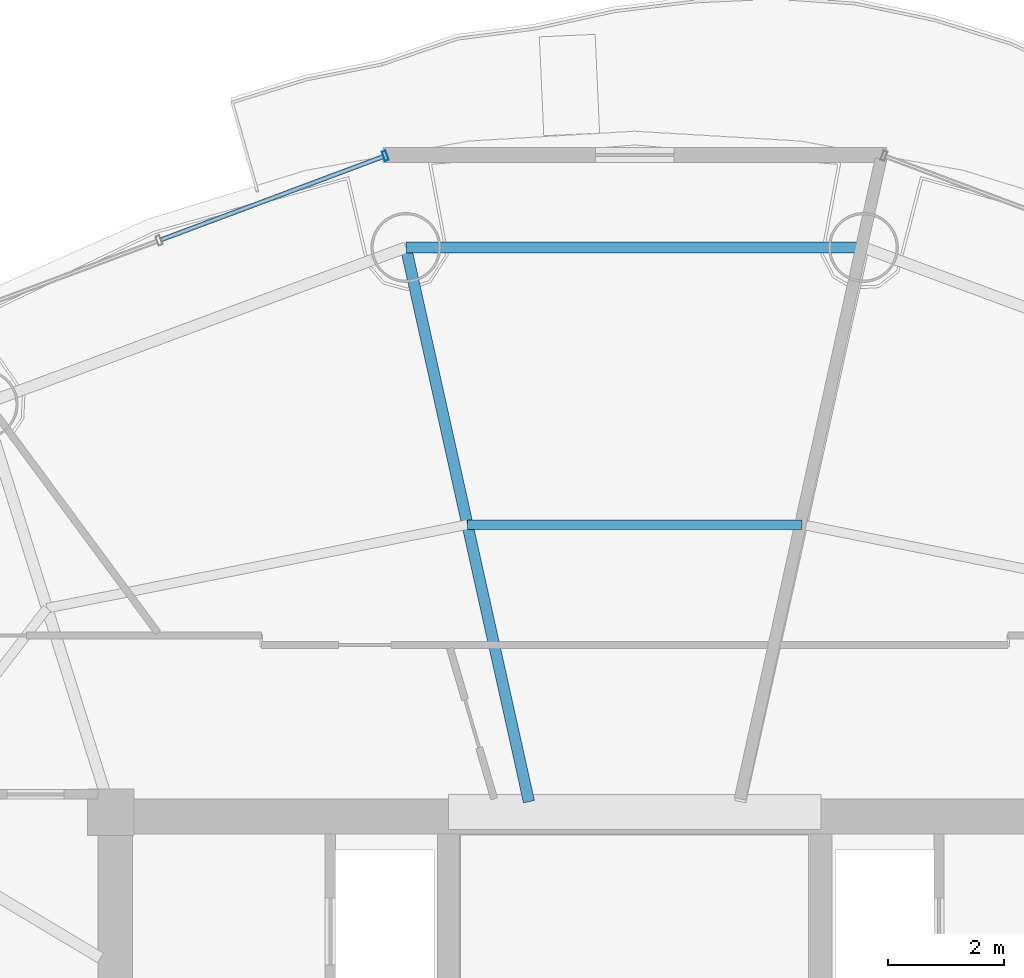
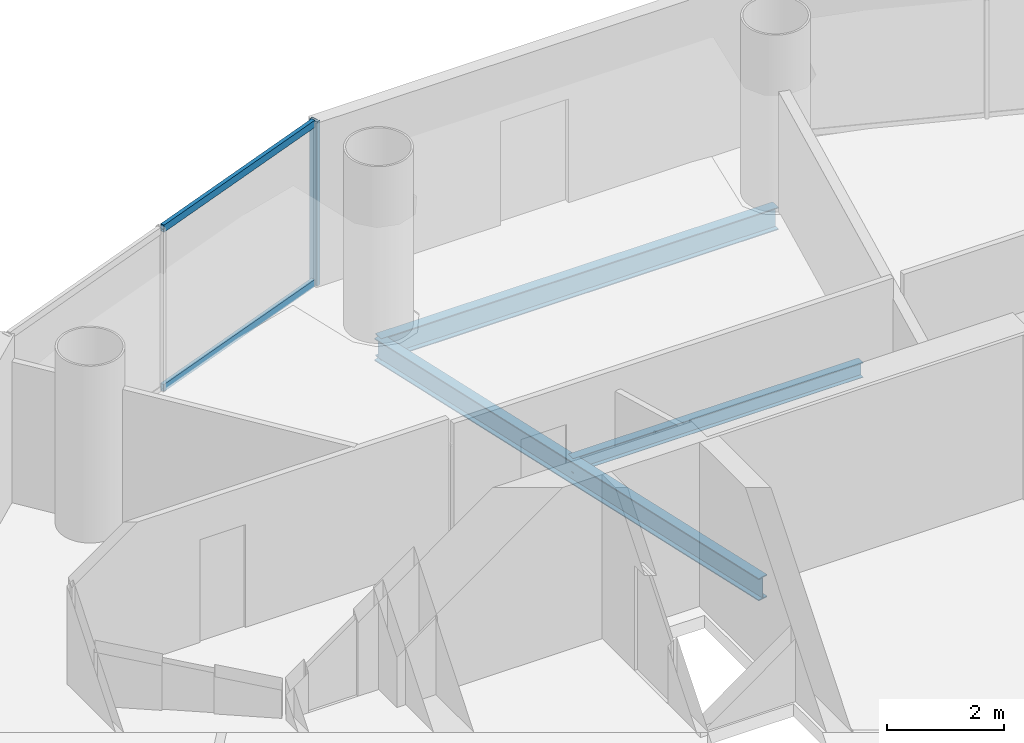
# One storey, part 16 of 26: 3 beams, 3 members, 1 element without a shape of its own.
"""IFC4 building model written with IfcOpenShell, lengths in metres."""

from ifc_helpers import new_model, si_unit, direction, frame, origin, origin_2d, place, context, subcontext, project, spatial, hollow_rectangle, i_section, extrude, source, transform, mapped, material, material_profile, profile_set, type_object, element, aggregate, save


model = new_model("IFC4")

# Units and contexts
model_context = context("Model", 3, precision=1e-05, world=origin(), true_north=direction((-0.2419218956, 0.970295726276)))
body_context = subcontext(model_context, "Body", "Model", "MODEL_VIEW")
ifc_project = project(units=[si_unit("LENGTHUNIT", "METRE"), si_unit("AREAUNIT", "SQUARE_METRE"), si_unit("VOLUMEUNIT", "CUBIC_METRE"), si_unit("PLANEANGLEUNIT", "RADIAN"), si_unit("MASSUNIT", "GRAM", prefix="KILO")], contexts=[model_context])

# Site, building, storey
site_placement = place(None, origin())
site = spatial("IfcSite", under=ifc_project, at=site_placement, CompositionType="ELEMENT")
building_placement = place(site_placement, origin())
building = spatial("IfcBuilding", under=site, at=building_placement, Name="Cobrevalo Terracotta Tower", CompositionType="ELEMENT")
storey_placement = place(building_placement, frame((0.0, 0.0, 224.5)))
storey = spatial("IfcBuildingStorey", under=building, at=storey_placement, Name="L59", CompositionType="ELEMENT", Elevation=224.5)

# Beams
ifc_material_1 = material(Name="Steel S355", Category="steel")
ifc_material_profile_1 = material_profile(ifc_material_1, i_section(OverallWidth=0.194091796875, OverallDepth=0.468994140625, WebThickness=0.011474609375, FlangeThickness=0.0205078125, at=origin_2d()), Name="W 460x106")
ifc_profile_set_1 = profile_set([ifc_material_profile_1], Name="Steel S355")
beam_type_1 = type_object("IfcBeamType", Name="Structural Beam W 460x106 (Steel S355)", PredefinedType="BEAM", material=ifc_profile_set_1)
beam_1_placement = place(storey_placement, frame((34.06884765625, 44.503173828125, -0.49951171875), z_axis=(0.216782061165, -0.976220025382, 0.0), x_axis=(0.976220025382, 0.216782061165, 0.0)))
element("IfcBeam", 1, at=beam_1_placement, inside=storey, type_object=beam_type_1, Name="L59 radial floor girder 05", PredefinedType="BEAM", context=body_context, shape_type="SweptSolid", body=[
    extrude(i_section(OverallWidth=0.194091796875, OverallDepth=0.468994140625, WebThickness=0.011474609375, FlangeThickness=0.0205078125, at=origin_2d()), origin(), (0.0, 0.0, 1.0), 9.755126953125),
])
ifc_material_profile_2 = material_profile(ifc_material_1, i_section(OverallWidth=0.1650390625, OverallDepth=0.31005859375, WebThickness=0.005859375, FlangeThickness=0.009765625, at=origin_2d()), Name="W 310x38.7")
ifc_profile_set_2 = profile_set([ifc_material_profile_2], Name="Steel S355")
beam_type_2 = type_object("IfcBeamType", Name="Structural Joist W 310x38.7 (Steel S355)", PredefinedType="JOIST", material=ifc_profile_set_2)
beam_2_placement = place(storey_placement, frame((40.873779296875, 39.74169921875, -0.419921875), z_axis=(-1.0, 0.0, 0.0), x_axis=(0.0, -1.0, 0.0)))
element("IfcBeam", 2, at=beam_2_placement, inside=storey, type_object=beam_type_2, Name="L59 circumferential secondary floor joist 04", PredefinedType="JOIST", context=body_context, shape_type="SweptSolid", body=[
    extrude(i_section(OverallWidth=0.1650390625, OverallDepth=0.31005859375, WebThickness=0.005859375, FlangeThickness=0.009765625, at=origin_2d()), origin(), (0.0, 0.0, 1.0), 5.74755859375),
])
ifc_material_profile_3 = material_profile(ifc_material_1, i_section(OverallWidth=0.194091796875, OverallDepth=0.468994140625, WebThickness=0.011474609375, FlangeThickness=0.0205078125, at=origin_2d()), Name="W 460x106")
ifc_profile_set_3 = profile_set([ifc_material_profile_3], Name="Steel S355")
beam_type_3 = type_object("IfcBeamType", Name="Structural Spandrel W 460x106 (Steel S355)", PredefinedType="SPANDREL", material=ifc_profile_set_3)
beam_3_placement = place(storey_placement, frame((41.93115234375, 44.503173828125, -0.49951171875), z_axis=(-1.0, 0.0, 0.0), x_axis=(0.0, -1.0, 0.0)))
element("IfcBeam", 3, at=beam_3_placement, inside=storey, type_object=beam_type_3, Name="L59 perimeter ring spandrel 04", PredefinedType="SPANDREL", context=body_context, shape_type="SweptSolid", body=[
    extrude(i_section(OverallWidth=0.194091796875, OverallDepth=0.468994140625, WebThickness=0.011474609375, FlangeThickness=0.0205078125, at=origin_2d()), origin(), (0.0, 0.0, 1.0), 7.8623046875),
])

# Curtain wall, members
ifc_material_2 = material(Name="Anodized aluminium", Category="aluminium")
curtain_wall_type = type_object("IfcCurtainWallType", Name="Mid-tower high-wind unitised curtain wall CW-U2", PredefinedType="NOTDEFINED", material=ifc_material_2)
curtain_wall_placement = place(storey_placement, origin())
curtain_wall = element("IfcCurtainWall", 4, at=curtain_wall_placement, inside=storey, type_object=curtain_wall_type, Name="L59 curtain wall CW-L59-S05", PredefinedType="NOTDEFINED")
ifc_material_profile_4 = material_profile(ifc_material_2, hollow_rectangle(XDim=0.074951171875, YDim=0.14990234375, WallThickness=0.00439453125, at=origin_2d()), Name="CWT 75x150")
ifc_profile_set_4 = profile_set([ifc_material_profile_4], Name="Anodized aluminium")
member_type_1 = type_object("IfcMemberType", Name="Tower unitised aluminium transom 75x150", PredefinedType="USERDEFINED", material=ifc_profile_set_4)
shared_shape_1 = source(origin(), body_context, "Body", "SweptSolid", [
    extrude(hollow_rectangle(XDim=0.074951171875, YDim=0.14990234375, WallThickness=0.00439453125, at=origin_2d()), origin(), (0.0, 0.0, 1.0), 4.06982421875),
])
member_1_placement = place(storey_placement, frame((33.677978515625, 46.06396484375, 0.050048828125), z_axis=(-0.936555791772, -0.350518542873, 0.0), x_axis=(0.350518542873, -0.936555791772, 0.0)))
member_1 = element("IfcMember", 5, at=member_1_placement, type_object=member_type_1, Name="CW-L59-S05 transom B01-T1", ObjectType="TRANSOM", PredefinedType="USERDEFINED", context=body_context, shape_type="MappedRepresentation", body=[
    mapped(shared_shape_1, transform((0.0, 0.0, 0.0), scale=1.0)),
])
member_2_placement = place(storey_placement, frame((33.677978515625, 46.06396484375, 3.385009765625), z_axis=(-0.936555791772, -0.350518542873, 0.0), x_axis=(0.350518542873, -0.936555791772, 0.0)))
member_2 = element("IfcMember", 6, at=member_2_placement, type_object=member_type_1, Name="CW-L59-S05 transom B01-T2", ObjectType="TRANSOM", PredefinedType="USERDEFINED", context=body_context, shape_type="MappedRepresentation", body=[
    mapped(shared_shape_1, transform((0.0, 0.0, 0.0), scale=1.0)),
])
ifc_material_profile_5 = material_profile(ifc_material_2, hollow_rectangle(XDim=0.070068359375, YDim=0.169921875, WallThickness=0.00439453125, at=origin_2d()), Name="CWM 70x170")
ifc_profile_set_5 = profile_set([ifc_material_profile_5], Name="Anodized aluminium")
member_type_2 = type_object("IfcMemberType", Name="Upper tower unitised mullion 70x170", PredefinedType="MULLION", material=ifc_profile_set_5)
shared_shape_2 = source(origin(), body_context, "Body", "SweptSolid", [
    extrude(hollow_rectangle(XDim=0.070068359375, YDim=0.169921875, WallThickness=0.00439453125, at=origin_2d()), origin(), (0.0, 0.0, 1.0), 3.43505859375),
])
member_3_placement = place(storey_placement, frame((33.71533203125, 46.078125, 0.0), z_axis=(0.0, 0.0, 1.0), x_axis=(-0.936556004584, -0.350517974259, 0.0)))
member_3 = element("IfcMember", 7, at=member_3_placement, type_object=member_type_2, Name="CW-L59-S05 vertical mullion 01", PredefinedType="MULLION", context=body_context, shape_type="MappedRepresentation", body=[
    mapped(shared_shape_2, transform((0.0, 0.0, 0.0), scale=1.0)),
])
aggregate(curtain_wall, [member_3, member_1, member_2])

save(model, "model.ifc")
